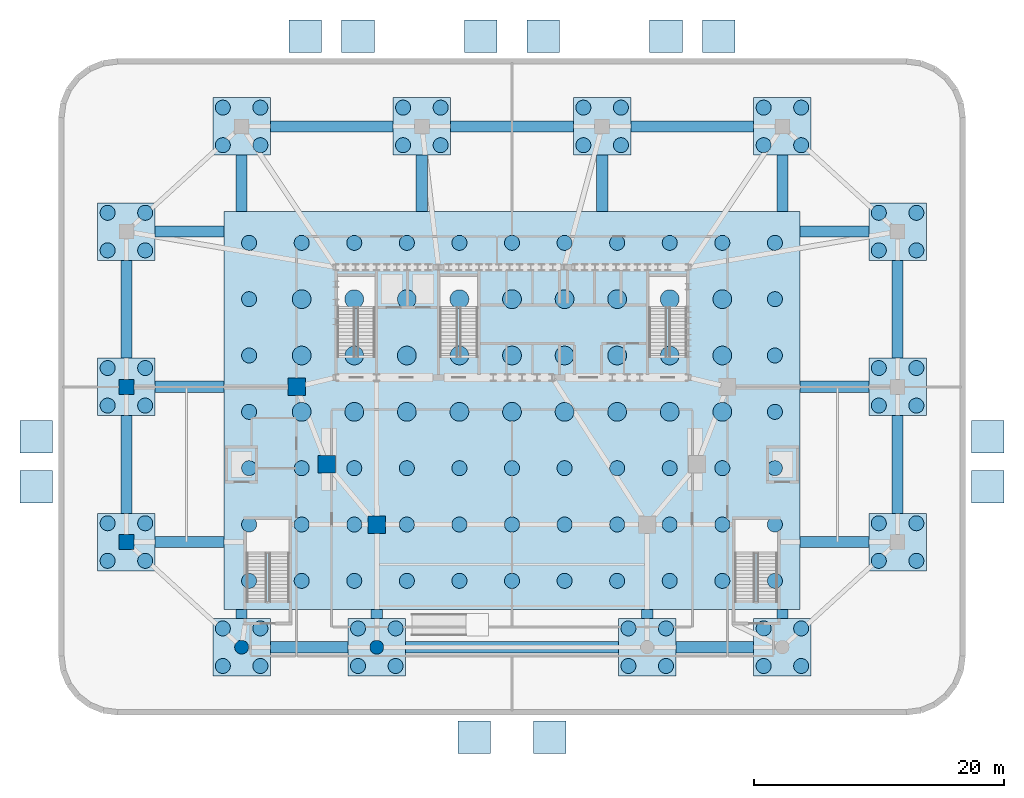
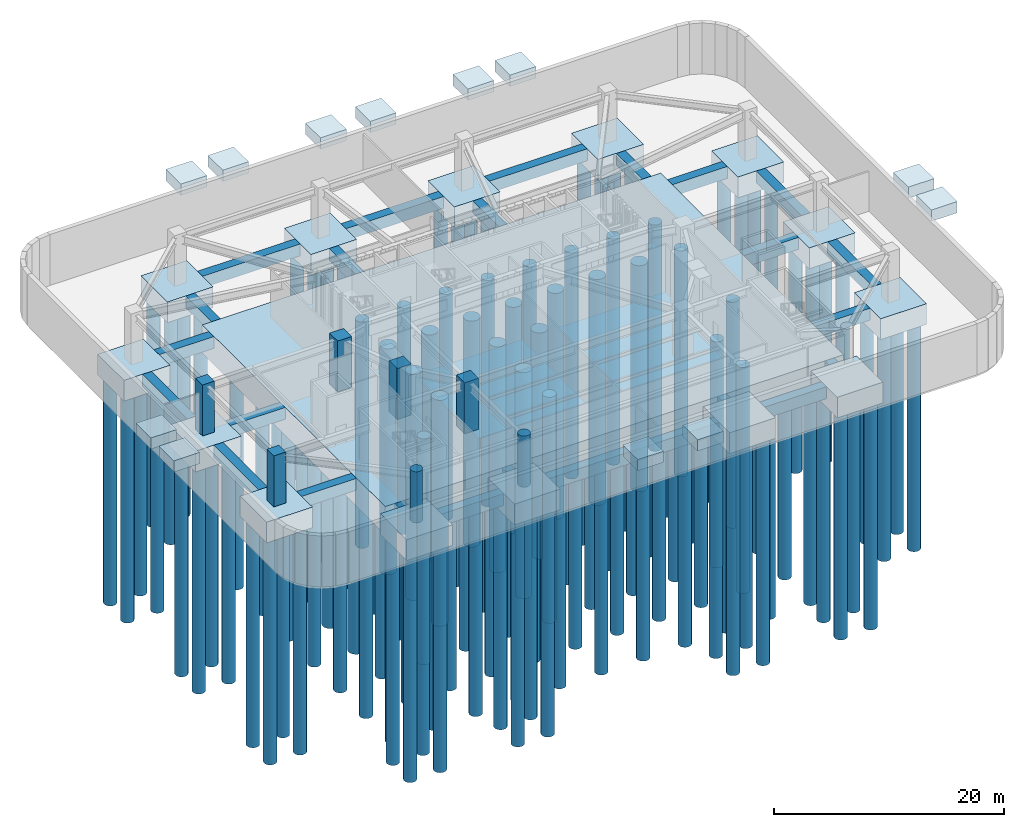
# One storey, part 1 of 11: 133 piles, 51 footings, 7 columns.
"""IFC4 building model written with IfcOpenShell, lengths in metres."""

from ifc_helpers import new_model, si_unit, direction, frame, origin, origin_2d, place, context, subcontext, project, spatial, polyline, rectangle, circle, outline, extrude, material, layer, layer_set, material_profile, profile_set, type_object, element, save


model = new_model("IFC4")

# Units and contexts
model_context = context("Model", 3, precision=1e-05, world=origin(), true_north=direction((0.0, 1.0)))
body_context = subcontext(model_context, "Body", "Model", "MODEL_VIEW")
ifc_project = project(units=[si_unit("LENGTHUNIT", "METRE"), si_unit("AREAUNIT", "SQUARE_METRE"), si_unit("VOLUMEUNIT", "CUBIC_METRE"), si_unit("PLANEANGLEUNIT", "RADIAN"), si_unit("MASSUNIT", "GRAM", prefix="KILO")], contexts=[model_context])

# Site, building, storey
site_placement = place(None, origin())
site = spatial("IfcSite", under=ifc_project, at=site_placement, CompositionType="ELEMENT")
building_placement = place(site_placement, origin())
building = spatial("IfcBuilding", under=site, at=building_placement, Name="Haldorwick Loom Tower", CompositionType="ELEMENT")
storey_placement = place(building_placement, frame((0.0, 0.0, -5.39990234375)))
storey = spatial("IfcBuildingStorey", under=building, at=storey_placement, Name="B01", CompositionType="ELEMENT", Elevation=-5.39990234375)

# Footings
ifc_material_1 = material(Name="Concrete C50 (50 MPa)", Category="concrete")
ifc_layer_1 = layer(ifc_material_1, 3.0, Name="Concrete C50 (50 MPa)", Category="concrete")
ifc_layer_set_1 = layer_set([ifc_layer_1], Name="Concrete C50 (50 MPa)")
footing_type_1 = type_object("IfcFootingType", Name="STR-FTG-MAT-3000", PredefinedType="USERDEFINED", material=ifc_layer_set_1)
footing_1_placement = place(storey_placement, frame((0.0, 0.0, -3.0)))
element("IfcFooting", 1, at=footing_1_placement, inside=storey, type_object=footing_type_1, Name="Central Tower Piled Mat Footing", ObjectType="MAT FOOTING", PredefinedType="USERDEFINED", context=body_context, shape_type="SweptSolid", body=[
    extrude(outline(polyline([(13.0, 8.199951171875), (59.0, 8.199951171875), (59.0, 40.0), (13.0, 40.0), (13.0, 8.199951171875)])), origin(), (0.0, 0.0, 1.0), 3.0),
])
ifc_material_2 = material(Name="Concrete C45 (45 MPa)", Category="concrete")
ifc_layer_2 = layer(ifc_material_2, 1.199951171875, Name="Concrete C45 (45 MPa)", Category="concrete")
ifc_layer_set_2 = layer_set([ifc_layer_2], Name="Concrete C45 (45 MPa)")
footing_type_2 = type_object("IfcFootingType", Name="STR-FTG-PAD-2600", PredefinedType="PAD_FOOTING", material=ifc_layer_set_2)
for number, where, z_axis, x_axis, name in (
    (2, (33.0, -2.0, 4.19970703125), (0.0, 0.0, 1.0), (1.0, 0.0, 0.0), "Entrance Canopy Pad Footing CN-S1-1"),
    (3, (39.0, -2.0, 4.19970703125), (0.0, 0.0, 1.0), (1.0, 0.0, 0.0), "Entrance Canopy Pad Footing CN-S1-2"),
    (4, (19.5, 54.0, 4.19970703125), (0.0, 0.0, 1.0), (1.0, 0.0, 0.0), "Entrance Canopy Pad Footing CN-N1-1"),
    (5, (23.699951171875, 54.0, 4.19970703125), (0.0, 0.0, 1.0), (1.0, 0.0, 0.0), "Entrance Canopy Pad Footing CN-N1-2"),
    (6, (33.5, 54.0, 4.19970703125), (0.0, 0.0, 1.0), (1.0, 0.0, 0.0), "Entrance Canopy Pad Footing CN-N2-1"),
    (7, (38.5, 54.0, 4.19970703125), (0.0, 0.0, 1.0), (1.0, 0.0, 0.0), "Entrance Canopy Pad Footing CN-N2-2"),
    (8, (48.300048828125, 54.0, 4.19970703125), (0.0, 0.0, 1.0), (1.0, 0.0, 0.0), "Entrance Canopy Pad Footing CN-N3-1"),
    (9, (52.5, 54.0, 4.19970703125), (0.0, 0.0, 1.0), (1.0, 0.0, 0.0), "Entrance Canopy Pad Footing CN-N3-2"),
    (10, (-2.0, 18.0, 4.19970703125), (0.0, 0.0, 1.0), (1.0, 0.0, 0.0), "Entrance Canopy Pad Footing CN-W1-1"),
    (11, (-2.0, 22.0, 4.19970703125), (0.0, 0.0, 1.0), (1.0, 0.0, 0.0), "Entrance Canopy Pad Footing CN-W1-2"),
    (12, (74.0, 18.0, 4.19970703125), (0.0, 0.0, 1.0), (1.0, 0.0, 0.0), "Entrance Canopy Pad Footing CN-E1-1"),
    (13, (74.0, 22.0, 4.19970703125), (0.0, 0.0, 1.0), (1.0, 0.0, 0.0), "Entrance Canopy Pad Footing CN-E1-2"),
):
    element("IfcFooting", number, at=place(storey_placement, frame(where, z_axis=z_axis, x_axis=x_axis)), inside=storey, type_object=footing_type_2, Name=name, PredefinedType="PAD_FOOTING", context=body_context, shape_type="SweptSolid", body=[
        extrude(rectangle(XDim=2.60009765625, YDim=2.60009765625, at=origin_2d()), origin(), (0.0, 0.0, 1.0), 1.199951171875),
    ])
ifc_layer_3 = layer(ifc_material_1, 2.199951171875, Name="Concrete C50 (50 MPa)", Category="concrete")
ifc_layer_set_3 = layer_set([ifc_layer_3], Name="Concrete C50 (50 MPa)")
footing_type_3 = type_object("IfcFootingType", Name="STR-FTG-PCAP-4600", PredefinedType="PILE_CAP", material=ifc_layer_set_3)
for number, where, z_axis, x_axis, name in (
    (14, (14.39990234375, 5.199951171875, -2.2001953125), (0.0, 0.0, 1.0), (1.0, 0.0, 0.0), "Podium Pile Cap PC-S1"),
    (15, (25.199951171875, 5.199951171875, -2.2001953125), (0.0, 0.0, 1.0), (1.0, 0.0, 0.0), "Podium Pile Cap PC-S2"),
    (16, (46.800048828125, 5.199951171875, -2.2001953125), (0.0, 0.0, 1.0), (1.0, 0.0, 0.0), "Podium Pile Cap PC-S3"),
    (17, (57.60009765625, 5.199951171875, -2.2001953125), (0.0, 0.0, 1.0), (1.0, 0.0, 0.0), "Podium Pile Cap PC-S4"),
    (18, (14.39990234375, 46.800048828125, -2.2001953125), (0.0, 0.0, 1.0), (1.0, 0.0, 0.0), "Podium Pile Cap PC-N1"),
    (19, (28.800048828125, 46.800048828125, -2.2001953125), (0.0, 0.0, 1.0), (1.0, 0.0, 0.0), "Podium Pile Cap PC-N2"),
    (20, (43.199951171875, 46.800048828125, -2.2001953125), (0.0, 0.0, 1.0), (1.0, 0.0, 0.0), "Podium Pile Cap PC-N3"),
    (21, (57.60009765625, 46.800048828125, -2.2001953125), (0.0, 0.0, 1.0), (1.0, 0.0, 0.0), "Podium Pile Cap PC-N4"),
    (22, (5.199951171875, 13.60009765625, -2.2001953125), (0.0, 0.0, 1.0), (1.0, 0.0, 0.0), "Podium Pile Cap PC-W1"),
    (23, (5.199951171875, 26.0, -2.2001953125), (0.0, 0.0, 1.0), (1.0, 0.0, 0.0), "Podium Pile Cap PC-W2"),
    (24, (5.199951171875, 38.39990234375, -2.2001953125), (0.0, 0.0, 1.0), (1.0, 0.0, 0.0), "Podium Pile Cap PC-W3"),
    (25, (66.800048828125, 13.60009765625, -2.2001953125), (0.0, 0.0, 1.0), (1.0, 0.0, 0.0), "Podium Pile Cap PC-E1"),
    (26, (66.800048828125, 26.0, -2.2001953125), (0.0, 0.0, 1.0), (1.0, 0.0, 0.0), "Podium Pile Cap PC-E2"),
    (27, (66.800048828125, 38.39990234375, -2.2001953125), (0.0, 0.0, 1.0), (1.0, 0.0, 0.0), "Podium Pile Cap PC-E3"),
):
    element("IfcFooting", number, at=place(storey_placement, frame(where, z_axis=z_axis, x_axis=x_axis)), inside=storey, type_object=footing_type_3, Name=name, PredefinedType="PILE_CAP", context=body_context, shape_type="SweptSolid", body=[
        extrude(rectangle(XDim=4.60009765625, YDim=4.60009765625, at=origin_2d()), origin(), (0.0, 0.0, 1.0), 2.199951171875),
    ])
ifc_material_profile_1 = material_profile(ifc_material_2, rectangle(XDim=0.89990234375, YDim=1.25, at=origin_2d()), Name="RC900X1250", Category="concrete")
ifc_profile_set_1 = profile_set([ifc_material_profile_1], Name="Concrete C45 (45 MPa)")
footing_type_4 = type_object("IfcFootingType", Name="STR-FTG-TBM-900X1250", PredefinedType="FOOTING_BEAM", material=ifc_profile_set_1)
footing_2_placement = place(storey_placement, frame((16.699951171875, 5.199951171875, -0.625), z_axis=(1.0, 0.0, 0.0), x_axis=(0.0, 1.0, 0.0)))
element("IfcFooting", 28, at=footing_2_placement, inside=storey, type_object=footing_type_4, Name="Foundation Tie Beam TB-S1", PredefinedType="FOOTING_BEAM", context=body_context, shape_type="SweptSolid", body=[
    extrude(rectangle(XDim=0.89990234375, YDim=1.25, at=origin_2d()), origin(), (0.0, 0.0, 1.0), 6.199951171875),
])
footing_3_placement = place(storey_placement, frame((27.5, 5.199951171875, -0.625), z_axis=(1.0, 0.0, 0.0), x_axis=(0.0, 1.0, 0.0)))
element("IfcFooting", 29, at=footing_3_placement, inside=storey, type_object=footing_type_4, Name="Foundation Tie Beam TB-S2", PredefinedType="FOOTING_BEAM", context=body_context, shape_type="SweptSolid", body=[
    extrude(rectangle(XDim=0.89990234375, YDim=1.25, at=origin_2d()), origin(), (0.0, 0.0, 1.0), 17.0),
])
footing_4_placement = place(storey_placement, frame((49.10009765625, 5.199951171875, -0.625), z_axis=(1.0, 0.0, 0.0), x_axis=(0.0, 1.0, 0.0)))
element("IfcFooting", 30, at=footing_4_placement, inside=storey, type_object=footing_type_4, Name="Foundation Tie Beam TB-S3", PredefinedType="FOOTING_BEAM", context=body_context, shape_type="SweptSolid", body=[
    extrude(rectangle(XDim=0.89990234375, YDim=1.25, at=origin_2d()), origin(), (0.0, 0.0, 1.0), 6.199951171875),
])
footing_5_placement = place(storey_placement, frame((16.699951171875, 46.800048828125, -0.625), z_axis=(1.0, 0.0, 0.0), x_axis=(0.0, 1.0, 0.0)))
element("IfcFooting", 31, at=footing_5_placement, inside=storey, type_object=footing_type_4, Name="Foundation Tie Beam TB-N1", PredefinedType="FOOTING_BEAM", context=body_context, shape_type="SweptSolid", body=[
    extrude(rectangle(XDim=0.89990234375, YDim=1.25, at=origin_2d()), origin(), (0.0, 0.0, 1.0), 9.800048828125),
])
footing_6_placement = place(storey_placement, frame((31.10009765625, 46.800048828125, -0.625), z_axis=(1.0, 0.0, 0.0), x_axis=(0.0, 1.0, 0.0)))
element("IfcFooting", 32, at=footing_6_placement, inside=storey, type_object=footing_type_4, Name="Foundation Tie Beam TB-N2", PredefinedType="FOOTING_BEAM", context=body_context, shape_type="SweptSolid", body=[
    extrude(rectangle(XDim=0.89990234375, YDim=1.25, at=origin_2d()), origin(), (0.0, 0.0, 1.0), 9.7998046875),
])
footing_7_placement = place(storey_placement, frame((45.5, 46.800048828125, -0.625), z_axis=(1.0, 0.0, 0.0), x_axis=(0.0, 1.0, 0.0)))
element("IfcFooting", 33, at=footing_7_placement, inside=storey, type_object=footing_type_4, Name="Foundation Tie Beam TB-N3", PredefinedType="FOOTING_BEAM", context=body_context, shape_type="SweptSolid", body=[
    extrude(rectangle(XDim=0.89990234375, YDim=1.25, at=origin_2d()), origin(), (0.0, 0.0, 1.0), 9.800048828125),
])
for number, where, z_axis, x_axis, name in (
    (34, (5.199951171875, 15.89990234375, -0.625), (0.0, 1.0, 0.0), (-1.0, 0.0, 0.0), "Foundation Tie Beam TB-W1"),
    (35, (5.199951171875, 28.300048828125, -0.625), (0.0, 1.0, 0.0), (-1.0, 0.0, 0.0), "Foundation Tie Beam TB-W2"),
    (36, (66.800048828125, 15.89990234375, -0.625), (0.0, 1.0, 0.0), (-1.0, 0.0, 0.0), "Foundation Tie Beam TB-E1"),
    (37, (66.800048828125, 28.300048828125, -0.625), (0.0, 1.0, 0.0), (-1.0, 0.0, 0.0), "Foundation Tie Beam TB-E2"),
):
    element("IfcFooting", number, at=place(storey_placement, frame(where, z_axis=z_axis, x_axis=x_axis)), inside=storey, type_object=footing_type_4, Name=name, PredefinedType="FOOTING_BEAM", context=body_context, shape_type="SweptSolid", body=[
        extrude(rectangle(XDim=0.89990234375, YDim=1.25, at=origin_2d()), origin(), (0.0, 0.0, 1.0), 7.800048828125),
    ])
for number, where, z_axis, x_axis, name in (
    (38, (14.39990234375, 7.5, -0.625), (0.0, 1.0, 0.0), (-1.0, 0.0, 0.0), "Foundation Tie Beam TB-MS1"),
    (39, (25.199951171875, 7.5, -0.625), (0.0, 1.0, 0.0), (-1.0, 0.0, 0.0), "Foundation Tie Beam TB-MS2"),
    (40, (46.800048828125, 7.5, -0.625), (0.0, 1.0, 0.0), (-1.0, 0.0, 0.0), "Foundation Tie Beam TB-MS3"),
    (41, (57.60009765625, 7.5, -0.625), (0.0, 1.0, 0.0), (-1.0, 0.0, 0.0), "Foundation Tie Beam TB-MS4"),
):
    element("IfcFooting", number, at=place(storey_placement, frame(where, z_axis=z_axis, x_axis=x_axis)), inside=storey, type_object=footing_type_4, Name=name, PredefinedType="FOOTING_BEAM", context=body_context, shape_type="SweptSolid", body=[
        extrude(rectangle(XDim=0.89990234375, YDim=1.25, at=origin_2d()), origin(), (0.0, 0.0, 1.0), 0.699951171875),
    ])
for number, where, z_axis, x_axis, name in (
    (42, (14.39990234375, 40.0, -0.625), (0.0, 1.0, 0.0), (-1.0, 0.0, 0.0), "Foundation Tie Beam TB-MN1"),
    (43, (28.800048828125, 40.0, -0.625), (0.0, 1.0, 0.0), (-1.0, 0.0, 0.0), "Foundation Tie Beam TB-MN2"),
    (44, (43.199951171875, 40.0, -0.625), (0.0, 1.0, 0.0), (-1.0, 0.0, 0.0), "Foundation Tie Beam TB-MN3"),
    (45, (57.60009765625, 40.0, -0.625), (0.0, 1.0, 0.0), (-1.0, 0.0, 0.0), "Foundation Tie Beam TB-MN4"),
):
    element("IfcFooting", number, at=place(storey_placement, frame(where, z_axis=z_axis, x_axis=x_axis)), inside=storey, type_object=footing_type_4, Name=name, PredefinedType="FOOTING_BEAM", context=body_context, shape_type="SweptSolid", body=[
        extrude(rectangle(XDim=0.89990234375, YDim=1.25, at=origin_2d()), origin(), (0.0, 0.0, 1.0), 4.5),
    ])
for number, where, z_axis, x_axis, name in (
    (46, (7.5, 13.60009765625, -0.625), (1.0, 0.0, 0.0), (0.0, 1.0, 0.0), "Foundation Tie Beam TB-MW1"),
    (47, (7.5, 26.0, -0.625), (1.0, 0.0, 0.0), (0.0, 1.0, 0.0), "Foundation Tie Beam TB-MW2"),
    (48, (7.5, 38.39990234375, -0.625), (1.0, 0.0, 0.0), (0.0, 1.0, 0.0), "Foundation Tie Beam TB-MW3"),
    (49, (59.0, 13.60009765625, -0.625), (1.0, 0.0, 0.0), (0.0, 1.0, 0.0), "Foundation Tie Beam TB-ME1"),
    (50, (59.0, 26.0, -0.625), (1.0, 0.0, 0.0), (0.0, 1.0, 0.0), "Foundation Tie Beam TB-ME2"),
    (51, (59.0, 38.39990234375, -0.625), (1.0, 0.0, 0.0), (0.0, 1.0, 0.0), "Foundation Tie Beam TB-ME3"),
):
    element("IfcFooting", number, at=place(storey_placement, frame(where, z_axis=z_axis, x_axis=x_axis)), inside=storey, type_object=footing_type_4, Name=name, PredefinedType="FOOTING_BEAM", context=body_context, shape_type="SweptSolid", body=[
        extrude(rectangle(XDim=0.89990234375, YDim=1.25, at=origin_2d()), origin(), (0.0, 0.0, 1.0), 5.5),
    ])

# Piles
ifc_material_profile_2 = material_profile(ifc_material_2, circle(Radius=0.60009765625, at=origin_2d()), Name="CAISSON_D1200", Category="concrete")
ifc_profile_set_2 = profile_set([ifc_material_profile_2], Name="Concrete C45 (45 MPa)")
pile_type_1 = type_object("IfcPileType", Name="STR-PIL-D1200", PredefinedType="BORED", material=ifc_profile_set_2)
for number, where, z_axis, x_axis, name in (
    (52, (15.0, 10.5, -2.900146484375), (0.0, 0.0, -1.0), (1.0, 0.0, 0.0), "Mat Bored Caisson 1-1"),
    (53, (15.0, 15.0, -2.900146484375), (0.0, 0.0, -1.0), (1.0, 0.0, 0.0), "Mat Bored Caisson 1-2"),
    (54, (15.0, 19.5, -2.900146484375), (0.0, 0.0, -1.0), (1.0, 0.0, 0.0), "Mat Bored Caisson 1-3"),
    (55, (15.0, 24.0, -2.900146484375), (0.0, 0.0, -1.0), (1.0, 0.0, 0.0), "Mat Bored Caisson 1-4"),
    (56, (15.0, 28.5, -2.900146484375), (0.0, 0.0, -1.0), (1.0, 0.0, 0.0), "Mat Bored Caisson 1-5"),
    (57, (15.0, 33.0, -2.900146484375), (0.0, 0.0, -1.0), (1.0, 0.0, 0.0), "Mat Bored Caisson 1-6"),
    (58, (15.0, 37.5, -2.900146484375), (0.0, 0.0, -1.0), (1.0, 0.0, 0.0), "Mat Bored Caisson 1-7"),
    (59, (19.199951171875, 10.5, -2.900146484375), (0.0, 0.0, -1.0), (1.0, 0.0, 0.0), "Mat Bored Caisson 2-1"),
    (60, (19.199951171875, 15.0, -2.900146484375), (0.0, 0.0, -1.0), (1.0, 0.0, 0.0), "Mat Bored Caisson 2-2"),
    (61, (19.199951171875, 19.5, -2.900146484375), (0.0, 0.0, -1.0), (1.0, 0.0, 0.0), "Mat Bored Caisson 2-3"),
    (62, (19.199951171875, 37.5, -2.900146484375), (0.0, 0.0, -1.0), (1.0, 0.0, 0.0), "Mat Bored Caisson 2-7"),
    (63, (23.39990234375, 10.5, -2.900146484375), (0.0, 0.0, -1.0), (1.0, 0.0, 0.0), "Mat Bored Caisson 3-1"),
    (64, (23.39990234375, 15.0, -2.900146484375), (0.0, 0.0, -1.0), (1.0, 0.0, 0.0), "Mat Bored Caisson 3-2"),
    (65, (23.39990234375, 19.5, -2.900146484375), (0.0, 0.0, -1.0), (1.0, 0.0, 0.0), "Mat Bored Caisson 3-3"),
    (66, (23.39990234375, 37.5, -2.900146484375), (0.0, 0.0, -1.0), (1.0, 0.0, 0.0), "Mat Bored Caisson 3-7"),
    (67, (27.60009765625, 10.5, -2.900146484375), (0.0, 0.0, -1.0), (1.0, 0.0, 0.0), "Mat Bored Caisson 4-1"),
    (68, (27.60009765625, 15.0, -2.900146484375), (0.0, 0.0, -1.0), (1.0, 0.0, 0.0), "Mat Bored Caisson 4-2"),
    (69, (27.60009765625, 19.5, -2.900146484375), (0.0, 0.0, -1.0), (1.0, 0.0, 0.0), "Mat Bored Caisson 4-3"),
    (70, (27.60009765625, 37.5, -2.900146484375), (0.0, 0.0, -1.0), (1.0, 0.0, 0.0), "Mat Bored Caisson 4-7"),
    (71, (31.800048828125, 10.5, -2.900146484375), (0.0, 0.0, -1.0), (1.0, 0.0, 0.0), "Mat Bored Caisson 5-1"),
    (72, (31.800048828125, 15.0, -2.900146484375), (0.0, 0.0, -1.0), (1.0, 0.0, 0.0), "Mat Bored Caisson 5-2"),
    (73, (31.800048828125, 19.5, -2.900146484375), (0.0, 0.0, -1.0), (1.0, 0.0, 0.0), "Mat Bored Caisson 5-3"),
    (74, (31.800048828125, 37.5, -2.900146484375), (0.0, 0.0, -1.0), (1.0, 0.0, 0.0), "Mat Bored Caisson 5-7"),
    (75, (36.0, 10.5, -2.900146484375), (0.0, 0.0, -1.0), (1.0, 0.0, 0.0), "Mat Bored Caisson 6-1"),
    (76, (36.0, 15.0, -2.900146484375), (0.0, 0.0, -1.0), (1.0, 0.0, 0.0), "Mat Bored Caisson 6-2"),
    (77, (36.0, 19.5, -2.900146484375), (0.0, 0.0, -1.0), (1.0, 0.0, 0.0), "Mat Bored Caisson 6-3"),
    (78, (36.0, 37.5, -2.900146484375), (0.0, 0.0, -1.0), (1.0, 0.0, 0.0), "Mat Bored Caisson 6-7"),
    (79, (40.199951171875, 10.5, -2.900146484375), (0.0, 0.0, -1.0), (1.0, 0.0, 0.0), "Mat Bored Caisson 7-1"),
    (80, (40.199951171875, 15.0, -2.900146484375), (0.0, 0.0, -1.0), (1.0, 0.0, 0.0), "Mat Bored Caisson 7-2"),
    (81, (40.199951171875, 19.5, -2.900146484375), (0.0, 0.0, -1.0), (1.0, 0.0, 0.0), "Mat Bored Caisson 7-3"),
    (82, (40.199951171875, 37.5, -2.900146484375), (0.0, 0.0, -1.0), (1.0, 0.0, 0.0), "Mat Bored Caisson 7-7"),
    (83, (44.39990234375, 10.5, -2.900146484375), (0.0, 0.0, -1.0), (1.0, 0.0, 0.0), "Mat Bored Caisson 8-1"),
    (84, (44.39990234375, 15.0, -2.900146484375), (0.0, 0.0, -1.0), (1.0, 0.0, 0.0), "Mat Bored Caisson 8-2"),
    (85, (44.39990234375, 19.5, -2.900146484375), (0.0, 0.0, -1.0), (1.0, 0.0, 0.0), "Mat Bored Caisson 8-3"),
    (86, (44.39990234375, 37.5, -2.900146484375), (0.0, 0.0, -1.0), (1.0, 0.0, 0.0), "Mat Bored Caisson 8-7"),
    (87, (48.60009765625, 10.5, -2.900146484375), (0.0, 0.0, -1.0), (1.0, 0.0, 0.0), "Mat Bored Caisson 9-1"),
    (88, (48.60009765625, 15.0, -2.900146484375), (0.0, 0.0, -1.0), (1.0, 0.0, 0.0), "Mat Bored Caisson 9-2"),
    (89, (48.60009765625, 19.5, -2.900146484375), (0.0, 0.0, -1.0), (1.0, 0.0, 0.0), "Mat Bored Caisson 9-3"),
    (90, (48.60009765625, 37.5, -2.900146484375), (0.0, 0.0, -1.0), (1.0, 0.0, 0.0), "Mat Bored Caisson 9-7"),
    (91, (52.800048828125, 10.5, -2.900146484375), (0.0, 0.0, -1.0), (1.0, 0.0, 0.0), "Mat Bored Caisson 10-1"),
    (92, (52.800048828125, 15.0, -2.900146484375), (0.0, 0.0, -1.0), (1.0, 0.0, 0.0), "Mat Bored Caisson 10-2"),
    (93, (52.800048828125, 19.5, -2.900146484375), (0.0, 0.0, -1.0), (1.0, 0.0, 0.0), "Mat Bored Caisson 10-3"),
    (94, (52.800048828125, 37.5, -2.900146484375), (0.0, 0.0, -1.0), (1.0, 0.0, 0.0), "Mat Bored Caisson 10-7"),
    (95, (57.0, 10.5, -2.900146484375), (0.0, 0.0, -1.0), (1.0, 0.0, 0.0), "Mat Bored Caisson 11-1"),
    (96, (57.0, 15.0, -2.900146484375), (0.0, 0.0, -1.0), (1.0, 0.0, 0.0), "Mat Bored Caisson 11-2"),
    (97, (57.0, 19.5, -2.900146484375), (0.0, 0.0, -1.0), (1.0, 0.0, 0.0), "Mat Bored Caisson 11-3"),
    (98, (57.0, 24.0, -2.900146484375), (0.0, 0.0, -1.0), (1.0, 0.0, 0.0), "Mat Bored Caisson 11-4"),
    (99, (57.0, 28.5, -2.900146484375), (0.0, 0.0, -1.0), (1.0, 0.0, 0.0), "Mat Bored Caisson 11-5"),
    (100, (57.0, 33.0, -2.900146484375), (0.0, 0.0, -1.0), (1.0, 0.0, 0.0), "Mat Bored Caisson 11-6"),
    (101, (57.0, 37.5, -2.900146484375), (0.0, 0.0, -1.0), (1.0, 0.0, 0.0), "Mat Bored Caisson 11-7"),
    (102, (12.89990234375, 3.699951171875, -2.10009765625), (0.0, 0.0, -1.0), (1.0, 0.0, 0.0), "Cap PC-S1 Bored Caisson 1"),
    (103, (12.89990234375, 6.699951171875, -2.10009765625), (0.0, 0.0, -1.0), (1.0, 0.0, 0.0), "Cap PC-S1 Bored Caisson 2"),
    (104, (15.89990234375, 3.699951171875, -2.10009765625), (0.0, 0.0, -1.0), (1.0, 0.0, 0.0), "Cap PC-S1 Bored Caisson 3"),
    (105, (15.89990234375, 6.699951171875, -2.10009765625), (0.0, 0.0, -1.0), (1.0, 0.0, 0.0), "Cap PC-S1 Bored Caisson 4"),
    (106, (23.699951171875, 3.699951171875, -2.10009765625), (0.0, 0.0, -1.0), (1.0, 0.0, 0.0), "Cap PC-S2 Bored Caisson 1"),
    (107, (23.699951171875, 6.699951171875, -2.10009765625), (0.0, 0.0, -1.0), (1.0, 0.0, 0.0), "Cap PC-S2 Bored Caisson 2"),
    (108, (26.699951171875, 3.699951171875, -2.10009765625), (0.0, 0.0, -1.0), (1.0, 0.0, 0.0), "Cap PC-S2 Bored Caisson 3"),
    (109, (26.699951171875, 6.699951171875, -2.10009765625), (0.0, 0.0, -1.0), (1.0, 0.0, 0.0), "Cap PC-S2 Bored Caisson 4"),
    (110, (45.300048828125, 3.699951171875, -2.10009765625), (0.0, 0.0, -1.0), (1.0, 0.0, 0.0), "Cap PC-S3 Bored Caisson 1"),
    (111, (45.300048828125, 6.699951171875, -2.10009765625), (0.0, 0.0, -1.0), (1.0, 0.0, 0.0), "Cap PC-S3 Bored Caisson 2"),
    (112, (48.300048828125, 3.699951171875, -2.10009765625), (0.0, 0.0, -1.0), (1.0, 0.0, 0.0), "Cap PC-S3 Bored Caisson 3"),
    (113, (48.300048828125, 6.699951171875, -2.10009765625), (0.0, 0.0, -1.0), (1.0, 0.0, 0.0), "Cap PC-S3 Bored Caisson 4"),
    (114, (56.10009765625, 3.699951171875, -2.10009765625), (0.0, 0.0, -1.0), (1.0, 0.0, 0.0), "Cap PC-S4 Bored Caisson 1"),
    (115, (56.10009765625, 6.699951171875, -2.10009765625), (0.0, 0.0, -1.0), (1.0, 0.0, 0.0), "Cap PC-S4 Bored Caisson 2"),
    (116, (59.10009765625, 3.699951171875, -2.10009765625), (0.0, 0.0, -1.0), (1.0, 0.0, 0.0), "Cap PC-S4 Bored Caisson 3"),
    (117, (59.10009765625, 6.699951171875, -2.10009765625), (0.0, 0.0, -1.0), (1.0, 0.0, 0.0), "Cap PC-S4 Bored Caisson 4"),
    (118, (12.89990234375, 45.300048828125, -2.10009765625), (0.0, 0.0, -1.0), (1.0, 0.0, 0.0), "Cap PC-N1 Bored Caisson 1"),
    (119, (12.89990234375, 48.300048828125, -2.10009765625), (0.0, 0.0, -1.0), (1.0, 0.0, 0.0), "Cap PC-N1 Bored Caisson 2"),
    (120, (15.89990234375, 45.300048828125, -2.10009765625), (0.0, 0.0, -1.0), (1.0, 0.0, 0.0), "Cap PC-N1 Bored Caisson 3"),
    (121, (15.89990234375, 48.300048828125, -2.10009765625), (0.0, 0.0, -1.0), (1.0, 0.0, 0.0), "Cap PC-N1 Bored Caisson 4"),
    (122, (27.300048828125, 45.300048828125, -2.10009765625), (0.0, 0.0, -1.0), (1.0, 0.0, 0.0), "Cap PC-N2 Bored Caisson 1"),
    (123, (27.300048828125, 48.300048828125, -2.10009765625), (0.0, 0.0, -1.0), (1.0, 0.0, 0.0), "Cap PC-N2 Bored Caisson 2"),
    (124, (30.300048828125, 45.300048828125, -2.10009765625), (0.0, 0.0, -1.0), (1.0, 0.0, 0.0), "Cap PC-N2 Bored Caisson 3"),
    (125, (30.300048828125, 48.300048828125, -2.10009765625), (0.0, 0.0, -1.0), (1.0, 0.0, 0.0), "Cap PC-N2 Bored Caisson 4"),
    (126, (41.699951171875, 45.300048828125, -2.10009765625), (0.0, 0.0, -1.0), (1.0, 0.0, 0.0), "Cap PC-N3 Bored Caisson 1"),
    (127, (41.699951171875, 48.300048828125, -2.10009765625), (0.0, 0.0, -1.0), (1.0, 0.0, 0.0), "Cap PC-N3 Bored Caisson 2"),
    (128, (44.699951171875, 45.300048828125, -2.10009765625), (0.0, 0.0, -1.0), (1.0, 0.0, 0.0), "Cap PC-N3 Bored Caisson 3"),
    (129, (44.699951171875, 48.300048828125, -2.10009765625), (0.0, 0.0, -1.0), (1.0, 0.0, 0.0), "Cap PC-N3 Bored Caisson 4"),
    (130, (56.10009765625, 45.300048828125, -2.10009765625), (0.0, 0.0, -1.0), (1.0, 0.0, 0.0), "Cap PC-N4 Bored Caisson 1"),
    (131, (56.10009765625, 48.300048828125, -2.10009765625), (0.0, 0.0, -1.0), (1.0, 0.0, 0.0), "Cap PC-N4 Bored Caisson 2"),
    (132, (59.10009765625, 45.300048828125, -2.10009765625), (0.0, 0.0, -1.0), (1.0, 0.0, 0.0), "Cap PC-N4 Bored Caisson 3"),
    (133, (59.10009765625, 48.300048828125, -2.10009765625), (0.0, 0.0, -1.0), (1.0, 0.0, 0.0), "Cap PC-N4 Bored Caisson 4"),
    (134, (3.699951171875, 12.10009765625, -2.10009765625), (0.0, 0.0, -1.0), (1.0, 0.0, 0.0), "Cap PC-W1 Bored Caisson 1"),
    (135, (3.699951171875, 15.10009765625, -2.10009765625), (0.0, 0.0, -1.0), (1.0, 0.0, 0.0), "Cap PC-W1 Bored Caisson 2"),
    (136, (6.699951171875, 12.10009765625, -2.10009765625), (0.0, 0.0, -1.0), (1.0, 0.0, 0.0), "Cap PC-W1 Bored Caisson 3"),
    (137, (6.699951171875, 15.10009765625, -2.10009765625), (0.0, 0.0, -1.0), (1.0, 0.0, 0.0), "Cap PC-W1 Bored Caisson 4"),
    (138, (3.699951171875, 24.5, -2.10009765625), (0.0, 0.0, -1.0), (1.0, 0.0, 0.0), "Cap PC-W2 Bored Caisson 1"),
    (139, (3.699951171875, 27.5, -2.10009765625), (0.0, 0.0, -1.0), (1.0, 0.0, 0.0), "Cap PC-W2 Bored Caisson 2"),
    (140, (6.699951171875, 24.5, -2.10009765625), (0.0, 0.0, -1.0), (1.0, 0.0, 0.0), "Cap PC-W2 Bored Caisson 3"),
    (141, (6.699951171875, 27.5, -2.10009765625), (0.0, 0.0, -1.0), (1.0, 0.0, 0.0), "Cap PC-W2 Bored Caisson 4"),
    (142, (3.699951171875, 36.89990234375, -2.10009765625), (0.0, 0.0, -1.0), (1.0, 0.0, 0.0), "Cap PC-W3 Bored Caisson 1"),
    (143, (3.699951171875, 39.89990234375, -2.10009765625), (0.0, 0.0, -1.0), (1.0, 0.0, 0.0), "Cap PC-W3 Bored Caisson 2"),
    (144, (6.699951171875, 36.89990234375, -2.10009765625), (0.0, 0.0, -1.0), (1.0, 0.0, 0.0), "Cap PC-W3 Bored Caisson 3"),
    (145, (6.699951171875, 39.89990234375, -2.10009765625), (0.0, 0.0, -1.0), (1.0, 0.0, 0.0), "Cap PC-W3 Bored Caisson 4"),
    (146, (65.300048828125, 12.10009765625, -2.10009765625), (0.0, 0.0, -1.0), (1.0, 0.0, 0.0), "Cap PC-E1 Bored Caisson 1"),
    (147, (65.300048828125, 15.10009765625, -2.10009765625), (0.0, 0.0, -1.0), (1.0, 0.0, 0.0), "Cap PC-E1 Bored Caisson 2"),
    (148, (68.300048828125, 12.10009765625, -2.10009765625), (0.0, 0.0, -1.0), (1.0, 0.0, 0.0), "Cap PC-E1 Bored Caisson 3"),
    (149, (68.300048828125, 15.10009765625, -2.10009765625), (0.0, 0.0, -1.0), (1.0, 0.0, 0.0), "Cap PC-E1 Bored Caisson 4"),
    (150, (65.300048828125, 24.5, -2.10009765625), (0.0, 0.0, -1.0), (1.0, 0.0, 0.0), "Cap PC-E2 Bored Caisson 1"),
    (151, (65.300048828125, 27.5, -2.10009765625), (0.0, 0.0, -1.0), (1.0, 0.0, 0.0), "Cap PC-E2 Bored Caisson 2"),
    (152, (68.300048828125, 24.5, -2.10009765625), (0.0, 0.0, -1.0), (1.0, 0.0, 0.0), "Cap PC-E2 Bored Caisson 3"),
    (153, (68.300048828125, 27.5, -2.10009765625), (0.0, 0.0, -1.0), (1.0, 0.0, 0.0), "Cap PC-E2 Bored Caisson 4"),
    (154, (65.300048828125, 36.89990234375, -2.10009765625), (0.0, 0.0, -1.0), (1.0, 0.0, 0.0), "Cap PC-E3 Bored Caisson 1"),
    (155, (65.300048828125, 39.89990234375, -2.10009765625), (0.0, 0.0, -1.0), (1.0, 0.0, 0.0), "Cap PC-E3 Bored Caisson 2"),
    (156, (68.300048828125, 36.89990234375, -2.10009765625), (0.0, 0.0, -1.0), (1.0, 0.0, 0.0), "Cap PC-E3 Bored Caisson 3"),
    (157, (68.300048828125, 39.89990234375, -2.10009765625), (0.0, 0.0, -1.0), (1.0, 0.0, 0.0), "Cap PC-E3 Bored Caisson 4"),
):
    element("IfcPile", number, at=place(storey_placement, frame(where, z_axis=z_axis, x_axis=x_axis)), inside=storey, type_object=pile_type_1, Name=name, PredefinedType="BORED", context=body_context, shape_type="SweptSolid", body=[
        extrude(circle(Radius=0.60009765625, at=origin_2d()), origin(), (0.0, 0.0, 1.0), 24.0),
    ])
ifc_material_profile_3 = material_profile(ifc_material_2, circle(Radius=0.75, at=origin_2d()), Name="CAISSON_D1500", Category="concrete")
ifc_profile_set_3 = profile_set([ifc_material_profile_3], Name="Concrete C45 (45 MPa)")
pile_type_2 = type_object("IfcPileType", Name="STR-PIL-D1500", PredefinedType="BORED", material=ifc_profile_set_3)
for number, where, z_axis, x_axis, name in (
    (158, (19.199951171875, 24.0, -2.900146484375), (0.0, 0.0, -1.0), (1.0, 0.0, 0.0), "Mat Bored Caisson 2-4"),
    (159, (19.199951171875, 28.5, -2.900146484375), (0.0, 0.0, -1.0), (1.0, 0.0, 0.0), "Mat Bored Caisson 2-5"),
    (160, (19.199951171875, 33.0, -2.900146484375), (0.0, 0.0, -1.0), (1.0, 0.0, 0.0), "Mat Bored Caisson 2-6"),
    (161, (23.39990234375, 24.0, -2.900146484375), (0.0, 0.0, -1.0), (1.0, 0.0, 0.0), "Mat Bored Caisson 3-4"),
    (162, (23.39990234375, 28.5, -2.900146484375), (0.0, 0.0, -1.0), (1.0, 0.0, 0.0), "Mat Bored Caisson 3-5"),
    (163, (23.39990234375, 33.0, -2.900146484375), (0.0, 0.0, -1.0), (1.0, 0.0, 0.0), "Mat Bored Caisson 3-6"),
    (164, (27.60009765625, 24.0, -2.900146484375), (0.0, 0.0, -1.0), (1.0, 0.0, 0.0), "Mat Bored Caisson 4-4"),
    (165, (27.60009765625, 28.5, -2.900146484375), (0.0, 0.0, -1.0), (1.0, 0.0, 0.0), "Mat Bored Caisson 4-5"),
    (166, (27.60009765625, 33.0, -2.900146484375), (0.0, 0.0, -1.0), (1.0, 0.0, 0.0), "Mat Bored Caisson 4-6"),
    (167, (31.800048828125, 24.0, -2.900146484375), (0.0, 0.0, -1.0), (1.0, 0.0, 0.0), "Mat Bored Caisson 5-4"),
    (168, (31.800048828125, 28.5, -2.900146484375), (0.0, 0.0, -1.0), (1.0, 0.0, 0.0), "Mat Bored Caisson 5-5"),
    (169, (31.800048828125, 33.0, -2.900146484375), (0.0, 0.0, -1.0), (1.0, 0.0, 0.0), "Mat Bored Caisson 5-6"),
    (170, (36.0, 24.0, -2.900146484375), (0.0, 0.0, -1.0), (1.0, 0.0, 0.0), "Mat Bored Caisson 6-4"),
    (171, (36.0, 28.5, -2.900146484375), (0.0, 0.0, -1.0), (1.0, 0.0, 0.0), "Mat Bored Caisson 6-5"),
    (172, (36.0, 33.0, -2.900146484375), (0.0, 0.0, -1.0), (1.0, 0.0, 0.0), "Mat Bored Caisson 6-6"),
    (173, (40.199951171875, 24.0, -2.900146484375), (0.0, 0.0, -1.0), (1.0, 0.0, 0.0), "Mat Bored Caisson 7-4"),
    (174, (40.199951171875, 28.5, -2.900146484375), (0.0, 0.0, -1.0), (1.0, 0.0, 0.0), "Mat Bored Caisson 7-5"),
    (175, (40.199951171875, 33.0, -2.900146484375), (0.0, 0.0, -1.0), (1.0, 0.0, 0.0), "Mat Bored Caisson 7-6"),
    (176, (44.39990234375, 24.0, -2.900146484375), (0.0, 0.0, -1.0), (1.0, 0.0, 0.0), "Mat Bored Caisson 8-4"),
    (177, (44.39990234375, 28.5, -2.900146484375), (0.0, 0.0, -1.0), (1.0, 0.0, 0.0), "Mat Bored Caisson 8-5"),
    (178, (44.39990234375, 33.0, -2.900146484375), (0.0, 0.0, -1.0), (1.0, 0.0, 0.0), "Mat Bored Caisson 8-6"),
    (179, (48.60009765625, 24.0, -2.900146484375), (0.0, 0.0, -1.0), (1.0, 0.0, 0.0), "Mat Bored Caisson 9-4"),
    (180, (48.60009765625, 28.5, -2.900146484375), (0.0, 0.0, -1.0), (1.0, 0.0, 0.0), "Mat Bored Caisson 9-5"),
    (181, (48.60009765625, 33.0, -2.900146484375), (0.0, 0.0, -1.0), (1.0, 0.0, 0.0), "Mat Bored Caisson 9-6"),
    (182, (52.800048828125, 24.0, -2.900146484375), (0.0, 0.0, -1.0), (1.0, 0.0, 0.0), "Mat Bored Caisson 10-4"),
    (183, (52.800048828125, 28.5, -2.900146484375), (0.0, 0.0, -1.0), (1.0, 0.0, 0.0), "Mat Bored Caisson 10-5"),
    (184, (52.800048828125, 33.0, -2.900146484375), (0.0, 0.0, -1.0), (1.0, 0.0, 0.0), "Mat Bored Caisson 10-6"),
):
    element("IfcPile", number, at=place(storey_placement, frame(where, z_axis=z_axis, x_axis=x_axis)), inside=storey, type_object=pile_type_2, Name=name, PredefinedType="BORED", context=body_context, shape_type="SweptSolid", body=[
        extrude(circle(Radius=0.75, at=origin_2d()), origin(), (0.0, 0.0, 1.0), 24.0),
    ])

# Columns
ifc_material_3 = material(Name="Concrete C60 (60 MPa)", Category="concrete")
ifc_material_profile_4 = material_profile(ifc_material_3, rectangle(XDim=1.39990234375, YDim=1.39990234375, at=origin_2d()), Name="RC1400X1400", Category="concrete")
ifc_profile_set_4 = profile_set([ifc_material_profile_4], Name="Concrete C60 (60 MPa)")
column_type_1 = type_object("IfcColumnType", Name="STR-COL-MEGA1400", PredefinedType="COLUMN", material=ifc_profile_set_4)
for number, where, z_axis, x_axis, name in (
    (185, (21.199951171875, 19.800048828125, 0.0), (0.0, 0.0, 1.0), (1.0, 0.0, 0.0), "B01 Inner Column IC-07"),
    (186, (18.800048828125, 26.0, 0.0), (0.0, 0.0, 1.0), (1.0, 0.0, 0.0), "B01 Inner Column IC-08"),
    (187, (25.199951171875, 15.0, 0.0), (0.0, 0.0, 1.0), (1.0, 0.0, 0.0), "B01 Podium Column PC-TW"),
):
    element("IfcColumn", number, at=place(storey_placement, frame(where, z_axis=z_axis, x_axis=x_axis)), inside=storey, type_object=column_type_1, Name=name, PredefinedType="COLUMN", context=body_context, shape_type="SweptSolid", body=[
        extrude(rectangle(XDim=1.39990234375, YDim=1.39990234375, at=origin_2d()), origin(), (0.0, 0.0, 1.0), 5.39990234375),
    ])
ifc_material_profile_5 = material_profile(ifc_material_3, rectangle(XDim=1.199951171875, YDim=1.199951171875, at=origin_2d()), Name="RC1200X1200", Category="concrete")
ifc_profile_set_5 = profile_set([ifc_material_profile_5], Name="Concrete C60 (60 MPa)")
column_type_2 = type_object("IfcColumnType", Name="STR-COL-RC1200", PredefinedType="COLUMN", material=ifc_profile_set_5)
for number, where, z_axis, x_axis, name in (
    (188, (5.199951171875, 13.60009765625, 0.0), (0.0, 0.0, 1.0), (1.0, 0.0, 0.0), "B01 Podium Column PC-W1"),
    (189, (5.199951171875, 26.0, 0.0), (0.0, 0.0, 1.0), (1.0, 0.0, 0.0), "B01 Podium Column PC-W2"),
):
    element("IfcColumn", number, at=place(storey_placement, frame(where, z_axis=z_axis, x_axis=x_axis)), inside=storey, type_object=column_type_2, Name=name, PredefinedType="COLUMN", context=body_context, shape_type="SweptSolid", body=[
        extrude(rectangle(XDim=1.199951171875, YDim=1.199951171875, at=origin_2d()), origin(), (0.0, 0.0, 1.0), 5.39990234375),
    ])
ifc_material_profile_6 = material_profile(ifc_material_3, circle(Radius=0.550048828125, at=origin_2d()), Name="RCD1100", Category="concrete")
ifc_profile_set_6 = profile_set([ifc_material_profile_6], Name="Concrete C60 (60 MPa)")
column_type_3 = type_object("IfcColumnType", Name="STR-COL-RCD1100", PredefinedType="COLUMN", material=ifc_profile_set_6)
for number, where, z_axis, x_axis, name in (
    (190, (14.39990234375, 5.199951171875, 0.0), (0.0, 0.0, 1.0), (1.0, 0.0, 0.0), "B01 Podium Column PC-S1"),
    (191, (25.199951171875, 5.199951171875, 0.0), (0.0, 0.0, 1.0), (1.0, 0.0, 0.0), "B01 Podium Column PC-S2"),
):
    element("IfcColumn", number, at=place(storey_placement, frame(where, z_axis=z_axis, x_axis=x_axis)), inside=storey, type_object=column_type_3, Name=name, PredefinedType="COLUMN", context=body_context, shape_type="SweptSolid", body=[
        extrude(circle(Radius=0.550048828125, at=origin_2d()), origin(), (0.0, 0.0, 1.0), 5.39990234375),
    ])

save(model, "model.ifc")
